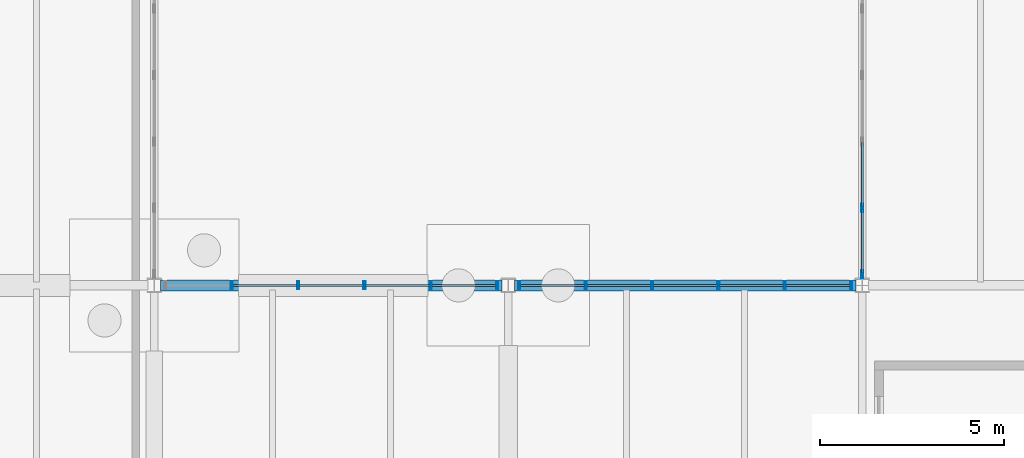
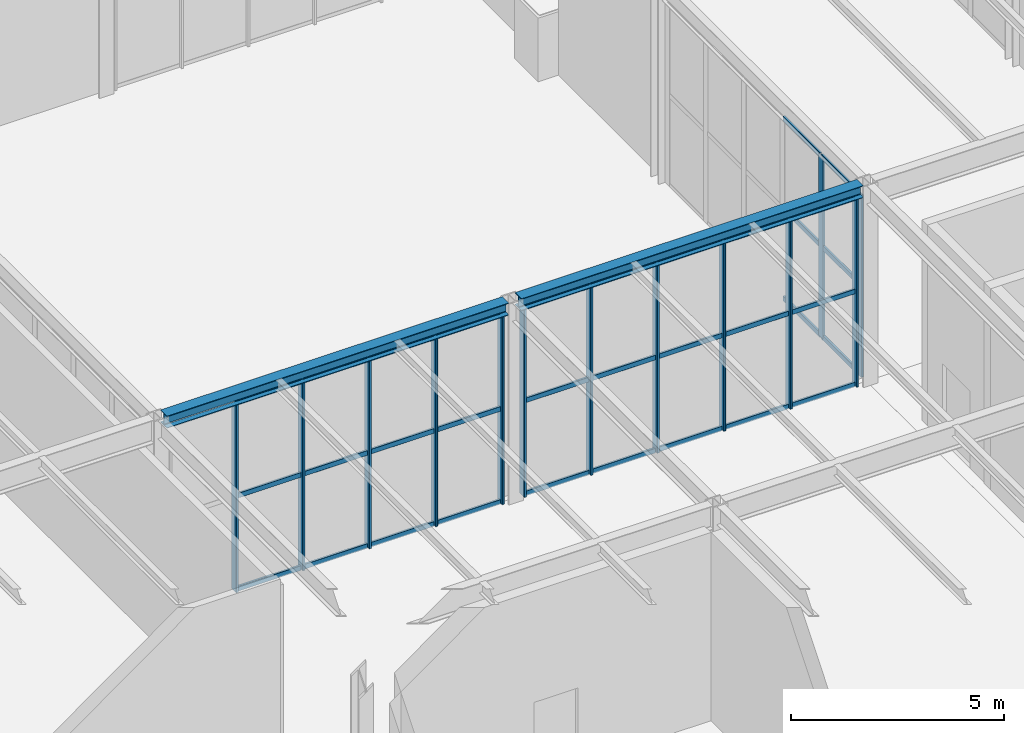
# One storey, part 43 of 142: 46 members, 2 beams, 3 elements without a shape of their own.
"""IFC4 building model written with IfcOpenShell, lengths in metres."""

from ifc_helpers import new_model, si_unit, direction, frame, origin, origin_2d, place, context, subcontext, project, spatial, hollow_rectangle, i_section, extrude, material, material_profile, profile_set, type_object, element, aggregate, save


model = new_model("IFC4")

# Units and contexts
model_context = context("Model", 3, precision=1e-05, world=origin(), true_north=direction((0.0, 1.0)))
body_context = subcontext(model_context, "Body", "Model", "MODEL_VIEW")
ifc_project = project(units=[si_unit("LENGTHUNIT", "METRE"), si_unit("AREAUNIT", "SQUARE_METRE"), si_unit("VOLUMEUNIT", "CUBIC_METRE"), si_unit("PLANEANGLEUNIT", "RADIAN"), si_unit("MASSUNIT", "GRAM", prefix="KILO")], contexts=[model_context])

# Site, building, storey
site_placement = place(None, origin())
site = spatial("IfcSite", under=ifc_project, at=site_placement, CompositionType="ELEMENT")
building_placement = place(site_placement, origin())
building = spatial("IfcBuilding", under=site, at=building_placement, Name="Coralgate Yard Interchange", CompositionType="ELEMENT")
storey_placement = place(building_placement, origin())
storey = spatial("IfcBuildingStorey", under=building, at=storey_placement, Name="L00", CompositionType="ELEMENT", Elevation=0.0)

# Beams
ifc_material_1 = material(Name="Structural steel S355J2", Category="steel")
ifc_material_profile_1 = material_profile(ifc_material_1, i_section(OverallWidth=0.300048828125, OverallDepth=0.35009765625, WebThickness=0.010009765625, FlangeThickness=0.017578125, FilletRadius=0.027099609375, at=origin_2d()), Name="HEA 360")
ifc_profile_set_1 = profile_set([ifc_material_profile_1], Name="Structural steel S355J2")
beam_type = type_object("IfcBeamType", Name="BM-SP-1", PredefinedType="SPANDREL", material=ifc_profile_set_1)
for number, where, z_axis, x_axis, name in (
    (1, (28.969482421875, 19.199951171875, 5.574951171875), (1.0, 0.0, 0.0), (0.0, 1.0, 0.0), "L00 primary grid beam Y2 X3-4"),
    (2, (38.569580078125, 19.199951171875, 5.574951171875), (1.0, 0.0, 0.0), (0.0, 1.0, 0.0), "L00 primary grid beam Y2 X4-5"),
):
    element("IfcBeam", number, at=place(storey_placement, frame(where, z_axis=z_axis, x_axis=x_axis)), inside=storey, type_object=beam_type, Name=name, PredefinedType="SPANDREL", context=body_context, shape_type="SweptSolid", body=[
        extrude(i_section(OverallWidth=0.300048828125, OverallDepth=0.35009765625, WebThickness=0.010009765625, FlangeThickness=0.017578125, FilletRadius=0.027099609375, at=origin_2d()), origin(), (0.0, 0.0, 1.0), 9.260986328125),
    ])

# Curtain wall, members
ifc_material_2 = material(Name="Anodised coastal aluminium and solar-control low-E glass", Category="aluminium")
curtain_wall_type = type_object("IfcCurtainWallType", Name="CW-CW-L00-B", PredefinedType="NOTDEFINED", material=ifc_material_2)
curtain_wall_1_placement = place(storey_placement, origin())
curtain_wall_1 = element("IfcCurtainWall", 3, at=curtain_wall_1_placement, inside=storey, type_object=curtain_wall_type, Name="L00 unitised curtain wall CW-L00-N-03-01", PredefinedType="NOTDEFINED")
ifc_material_3 = material(Name="Anodised coastal aluminium 6063-T6", Category="aluminium")
ifc_material_profile_2 = material_profile(ifc_material_3, hollow_rectangle(XDim=0.06005859375, YDim=0.219970703125, WallThickness=0.00390625, InnerFilletRadius=0.00390625, OuterFilletRadius=0.008056640625, at=origin_2d()), Name="ALU 60x220x4")
ifc_profile_set_2 = profile_set([ifc_material_profile_2], Name="Anodised coastal aluminium 6063-T6")
member_type_1 = type_object("IfcMemberType", Name="MB-MUL-220", PredefinedType="MULLION", material=ifc_profile_set_2)
member_1_placement = place(storey_placement, frame((30.89990234375, 19.199951171875, 0.0), z_axis=(0.0, 0.0, 1.0), x_axis=(1.0, 0.0, 0.0)))
member_1 = element("IfcMember", 4, at=member_1_placement, type_object=member_type_1, Name="CW-L00-N-03-01 vertical mullion 2", PredefinedType="MULLION", context=body_context, shape_type="SweptSolid", body=[
    extrude(hollow_rectangle(XDim=0.06005859375, YDim=0.219970703125, WallThickness=0.00390625, InnerFilletRadius=0.00390625, OuterFilletRadius=0.008056640625, at=origin_2d()), origin(), (0.0, 0.0, 1.0), 5.39990234375),
])
member_2_placement = place(storey_placement, frame((32.699951171875, 19.199951171875, 0.0), z_axis=(0.0, 0.0, 1.0), x_axis=(1.0, 0.0, 0.0)))
member_2 = element("IfcMember", 5, at=member_2_placement, type_object=member_type_1, Name="CW-L00-N-03-01 vertical mullion 3", PredefinedType="MULLION", context=body_context, shape_type="SweptSolid", body=[
    extrude(hollow_rectangle(XDim=0.06005859375, YDim=0.219970703125, WallThickness=0.00390625, InnerFilletRadius=0.00390625, OuterFilletRadius=0.008056640625, at=origin_2d()), origin(), (0.0, 0.0, 1.0), 5.39990234375),
])
member_3_placement = place(storey_placement, frame((34.5, 19.199951171875, 0.0), z_axis=(0.0, 0.0, 1.0), x_axis=(1.0, 0.0, 0.0)))
member_3 = element("IfcMember", 6, at=member_3_placement, type_object=member_type_1, Name="CW-L00-N-03-01 vertical mullion 4", PredefinedType="MULLION", context=body_context, shape_type="SweptSolid", body=[
    extrude(hollow_rectangle(XDim=0.06005859375, YDim=0.219970703125, WallThickness=0.00390625, InnerFilletRadius=0.00390625, OuterFilletRadius=0.008056640625, at=origin_2d()), origin(), (0.0, 0.0, 1.0), 5.39990234375),
])
member_4_placement = place(storey_placement, frame((36.300048828125, 19.199951171875, 0.0), z_axis=(0.0, 0.0, 1.0), x_axis=(1.0, 0.0, 0.0)))
member_4 = element("IfcMember", 7, at=member_4_placement, type_object=member_type_1, Name="CW-L00-N-03-01 vertical mullion 5", PredefinedType="MULLION", context=body_context, shape_type="SweptSolid", body=[
    extrude(hollow_rectangle(XDim=0.06005859375, YDim=0.219970703125, WallThickness=0.00390625, InnerFilletRadius=0.00390625, OuterFilletRadius=0.008056640625, at=origin_2d()), origin(), (0.0, 0.0, 1.0), 5.39990234375),
])
member_5_placement = place(storey_placement, frame((38.10009765625, 19.199951171875, 0.0), z_axis=(0.0, 0.0, 1.0), x_axis=(1.0, 0.0, 0.0)))
member_5 = element("IfcMember", 8, at=member_5_placement, type_object=member_type_1, Name="CW-L00-N-03-01 vertical mullion 6", PredefinedType="MULLION", context=body_context, shape_type="SweptSolid", body=[
    extrude(hollow_rectangle(XDim=0.06005859375, YDim=0.219970703125, WallThickness=0.00390625, InnerFilletRadius=0.00390625, OuterFilletRadius=0.008056640625, at=origin_2d()), origin(), (0.0, 0.0, 1.0), 5.39990234375),
])

curtain_wall_2_placement = place(storey_placement, origin())
curtain_wall_2 = element("IfcCurtainWall", 9, at=curtain_wall_2_placement, inside=storey, type_object=curtain_wall_type, Name="L00 unitised curtain wall CW-L00-N-04-01", PredefinedType="NOTDEFINED")
member_6_placement = place(storey_placement, frame((38.699951171875, 19.199951171875, 0.0), z_axis=(0.0, 0.0, 1.0), x_axis=(1.0, 0.0, 0.0)))
member_6 = element("IfcMember", 10, at=member_6_placement, type_object=member_type_1, Name="CW-L00-N-04-01 vertical mullion 1", PredefinedType="MULLION", context=body_context, shape_type="SweptSolid", body=[
    extrude(hollow_rectangle(XDim=0.06005859375, YDim=0.219970703125, WallThickness=0.00390625, InnerFilletRadius=0.00390625, OuterFilletRadius=0.008056640625, at=origin_2d()), origin(), (0.0, 0.0, 1.0), 5.39990234375),
])
member_7_placement = place(storey_placement, frame((40.5, 19.199951171875, 0.0), z_axis=(0.0, 0.0, 1.0), x_axis=(1.0, 0.0, 0.0)))
member_7 = element("IfcMember", 11, at=member_7_placement, type_object=member_type_1, Name="CW-L00-N-04-01 vertical mullion 2", PredefinedType="MULLION", context=body_context, shape_type="SweptSolid", body=[
    extrude(hollow_rectangle(XDim=0.06005859375, YDim=0.219970703125, WallThickness=0.00390625, InnerFilletRadius=0.00390625, OuterFilletRadius=0.008056640625, at=origin_2d()), origin(), (0.0, 0.0, 1.0), 5.39990234375),
])
member_8_placement = place(storey_placement, frame((42.300048828125, 19.199951171875, 0.0), z_axis=(0.0, 0.0, 1.0), x_axis=(1.0, 0.0, 0.0)))
member_8 = element("IfcMember", 12, at=member_8_placement, type_object=member_type_1, Name="CW-L00-N-04-01 vertical mullion 3", PredefinedType="MULLION", context=body_context, shape_type="SweptSolid", body=[
    extrude(hollow_rectangle(XDim=0.06005859375, YDim=0.219970703125, WallThickness=0.00390625, InnerFilletRadius=0.00390625, OuterFilletRadius=0.008056640625, at=origin_2d()), origin(), (0.0, 0.0, 1.0), 5.39990234375),
])
member_9_placement = place(storey_placement, frame((44.10009765625, 19.199951171875, 0.0), z_axis=(0.0, 0.0, 1.0), x_axis=(1.0, 0.0, 0.0)))
member_9 = element("IfcMember", 13, at=member_9_placement, type_object=member_type_1, Name="CW-L00-N-04-01 vertical mullion 4", PredefinedType="MULLION", context=body_context, shape_type="SweptSolid", body=[
    extrude(hollow_rectangle(XDim=0.06005859375, YDim=0.219970703125, WallThickness=0.00390625, InnerFilletRadius=0.00390625, OuterFilletRadius=0.008056640625, at=origin_2d()), origin(), (0.0, 0.0, 1.0), 5.39990234375),
])
member_10_placement = place(storey_placement, frame((45.89990234375, 19.199951171875, 0.0), z_axis=(0.0, 0.0, 1.0), x_axis=(1.0, 0.0, 0.0)))
member_10 = element("IfcMember", 14, at=member_10_placement, type_object=member_type_1, Name="CW-L00-N-04-01 vertical mullion 5", PredefinedType="MULLION", context=body_context, shape_type="SweptSolid", body=[
    extrude(hollow_rectangle(XDim=0.06005859375, YDim=0.219970703125, WallThickness=0.00390625, InnerFilletRadius=0.00390625, OuterFilletRadius=0.008056640625, at=origin_2d()), origin(), (0.0, 0.0, 1.0), 5.39990234375),
])
member_11_placement = place(storey_placement, frame((47.699951171875, 19.199951171875, 0.0), z_axis=(0.0, 0.0, 1.0), x_axis=(1.0, 0.0, 0.0)))
member_11 = element("IfcMember", 15, at=member_11_placement, type_object=member_type_1, Name="CW-L00-N-04-01 vertical mullion 6", PredefinedType="MULLION", context=body_context, shape_type="SweptSolid", body=[
    extrude(hollow_rectangle(XDim=0.06005859375, YDim=0.219970703125, WallThickness=0.00390625, InnerFilletRadius=0.00390625, OuterFilletRadius=0.008056640625, at=origin_2d()), origin(), (0.0, 0.0, 1.0), 5.39990234375),
])

curtain_wall_3_placement = place(storey_placement, origin())
curtain_wall_3 = element("IfcCurtainWall", 16, at=curtain_wall_3_placement, inside=storey, type_object=curtain_wall_type, Name="L00 unitised curtain wall CW-L00-W-05-02", PredefinedType="NOTDEFINED")
member_12_placement = place(storey_placement, frame((48.0, 19.5, 0.0), z_axis=(0.0, 0.0, 1.0), x_axis=(1.0, 0.0, 0.0)))
member_12 = element("IfcMember", 17, at=member_12_placement, type_object=member_type_1, Name="CW-L00-W-05-02 vertical mullion 1", PredefinedType="MULLION", context=body_context, shape_type="SweptSolid", body=[
    extrude(hollow_rectangle(XDim=0.06005859375, YDim=0.219970703125, WallThickness=0.00390625, InnerFilletRadius=0.00390625, OuterFilletRadius=0.008056640625, at=origin_2d()), origin(), (0.0, 0.0, 1.0), 5.216796875),
])
member_13_placement = place(storey_placement, frame((48.0, 21.300048828125, 0.0), z_axis=(0.0, 0.0, 1.0), x_axis=(1.0, 0.0, 0.0)))
member_13 = element("IfcMember", 18, at=member_13_placement, type_object=member_type_1, Name="CW-L00-W-05-02 vertical mullion 2", PredefinedType="MULLION", context=body_context, shape_type="SweptSolid", body=[
    extrude(hollow_rectangle(XDim=0.06005859375, YDim=0.219970703125, WallThickness=0.00390625, InnerFilletRadius=0.00390625, OuterFilletRadius=0.008056640625, at=origin_2d()), origin(), (0.0, 0.0, 1.0), 5.216796875),
])

# Member
ifc_material_profile_3 = material_profile(ifc_material_3, hollow_rectangle(XDim=0.06005859375, YDim=0.139892578125, WallThickness=0.00341796875, InnerFilletRadius=0.00341796875, OuterFilletRadius=0.007080078125, at=origin_2d()), Name="ALU 60x140x3.5")
ifc_profile_set_3 = profile_set([ifc_material_profile_3], Name="Anodised coastal aluminium 6063-T6")
member_type_2 = type_object("IfcMemberType", Name="MB-TRN-140", PredefinedType="USERDEFINED", material=ifc_profile_set_3)
member_14_placement = place(storey_placement, frame((30.929931640625, 19.199951171875, 0.034912109375), z_axis=(1.0, 0.0, 0.0), x_axis=(0.0, 1.0, 0.0)))
member_14 = element("IfcMember", 19, at=member_14_placement, type_object=member_type_2, Name="CW-L00-N-03-01 horizontal transom 2-1", ObjectType="TRANSOM", PredefinedType="USERDEFINED", context=body_context, shape_type="SweptSolid", body=[
    extrude(hollow_rectangle(XDim=0.06005859375, YDim=0.139892578125, WallThickness=0.00341796875, InnerFilletRadius=0.00341796875, OuterFilletRadius=0.007080078125, at=origin_2d()), origin(), (0.0, 0.0, 1.0), 1.739990234375),
])

member_15_placement = place(storey_placement, frame((30.929931640625, 19.199951171875, 2.699951171875), z_axis=(1.0, 0.0, 0.0), x_axis=(0.0, 1.0, 0.0)))
member_15 = element("IfcMember", 20, at=member_15_placement, type_object=member_type_2, Name="CW-L00-N-03-01 horizontal transom 2-2", ObjectType="TRANSOM", PredefinedType="USERDEFINED", context=body_context, shape_type="SweptSolid", body=[
    extrude(hollow_rectangle(XDim=0.06005859375, YDim=0.139892578125, WallThickness=0.00341796875, InnerFilletRadius=0.00341796875, OuterFilletRadius=0.007080078125, at=origin_2d()), origin(), (0.0, 0.0, 1.0), 1.739990234375),
])

member_16_placement = place(storey_placement, frame((30.929931640625, 19.199951171875, 5.364990234375), z_axis=(1.0, 0.0, 0.0), x_axis=(0.0, 1.0, 0.0)))
member_16 = element("IfcMember", 21, at=member_16_placement, type_object=member_type_2, Name="CW-L00-N-03-01 horizontal transom 2-3", ObjectType="TRANSOM", PredefinedType="USERDEFINED", context=body_context, shape_type="SweptSolid", body=[
    extrude(hollow_rectangle(XDim=0.06005859375, YDim=0.139892578125, WallThickness=0.00341796875, InnerFilletRadius=0.00341796875, OuterFilletRadius=0.007080078125, at=origin_2d()), origin(), (0.0, 0.0, 1.0), 1.739990234375),
])

member_17_placement = place(storey_placement, frame((32.72998046875, 19.199951171875, 0.034912109375), z_axis=(1.0, 0.0, 0.0), x_axis=(0.0, 1.0, 0.0)))
member_17 = element("IfcMember", 22, at=member_17_placement, type_object=member_type_2, Name="CW-L00-N-03-01 horizontal transom 3-1", ObjectType="TRANSOM", PredefinedType="USERDEFINED", context=body_context, shape_type="SweptSolid", body=[
    extrude(hollow_rectangle(XDim=0.06005859375, YDim=0.139892578125, WallThickness=0.00341796875, InnerFilletRadius=0.00341796875, OuterFilletRadius=0.007080078125, at=origin_2d()), origin(), (0.0, 0.0, 1.0), 1.739990234375),
])

member_18_placement = place(storey_placement, frame((32.72998046875, 19.199951171875, 2.699951171875), z_axis=(1.0, 0.0, 0.0), x_axis=(0.0, 1.0, 0.0)))
member_18 = element("IfcMember", 23, at=member_18_placement, type_object=member_type_2, Name="CW-L00-N-03-01 horizontal transom 3-2", ObjectType="TRANSOM", PredefinedType="USERDEFINED", context=body_context, shape_type="SweptSolid", body=[
    extrude(hollow_rectangle(XDim=0.06005859375, YDim=0.139892578125, WallThickness=0.00341796875, InnerFilletRadius=0.00341796875, OuterFilletRadius=0.007080078125, at=origin_2d()), origin(), (0.0, 0.0, 1.0), 1.739990234375),
])

member_19_placement = place(storey_placement, frame((32.72998046875, 19.199951171875, 5.364990234375), z_axis=(1.0, 0.0, 0.0), x_axis=(0.0, 1.0, 0.0)))
member_19 = element("IfcMember", 24, at=member_19_placement, type_object=member_type_2, Name="CW-L00-N-03-01 horizontal transom 3-3", ObjectType="TRANSOM", PredefinedType="USERDEFINED", context=body_context, shape_type="SweptSolid", body=[
    extrude(hollow_rectangle(XDim=0.06005859375, YDim=0.139892578125, WallThickness=0.00341796875, InnerFilletRadius=0.00341796875, OuterFilletRadius=0.007080078125, at=origin_2d()), origin(), (0.0, 0.0, 1.0), 1.739990234375),
])

member_20_placement = place(storey_placement, frame((34.530029296875, 19.199951171875, 0.034912109375), z_axis=(1.0, 0.0, 0.0), x_axis=(0.0, 1.0, 0.0)))
member_20 = element("IfcMember", 25, at=member_20_placement, type_object=member_type_2, Name="CW-L00-N-03-01 horizontal transom 4-1", ObjectType="TRANSOM", PredefinedType="USERDEFINED", context=body_context, shape_type="SweptSolid", body=[
    extrude(hollow_rectangle(XDim=0.06005859375, YDim=0.139892578125, WallThickness=0.00341796875, InnerFilletRadius=0.00341796875, OuterFilletRadius=0.007080078125, at=origin_2d()), origin(), (0.0, 0.0, 1.0), 1.739990234375),
])

member_21_placement = place(storey_placement, frame((34.530029296875, 19.199951171875, 2.699951171875), z_axis=(1.0, 0.0, 0.0), x_axis=(0.0, 1.0, 0.0)))
member_21 = element("IfcMember", 26, at=member_21_placement, type_object=member_type_2, Name="CW-L00-N-03-01 horizontal transom 4-2", ObjectType="TRANSOM", PredefinedType="USERDEFINED", context=body_context, shape_type="SweptSolid", body=[
    extrude(hollow_rectangle(XDim=0.06005859375, YDim=0.139892578125, WallThickness=0.00341796875, InnerFilletRadius=0.00341796875, OuterFilletRadius=0.007080078125, at=origin_2d()), origin(), (0.0, 0.0, 1.0), 1.739990234375),
])

member_22_placement = place(storey_placement, frame((34.530029296875, 19.199951171875, 5.364990234375), z_axis=(1.0, 0.0, 0.0), x_axis=(0.0, 1.0, 0.0)))
member_22 = element("IfcMember", 27, at=member_22_placement, type_object=member_type_2, Name="CW-L00-N-03-01 horizontal transom 4-3", ObjectType="TRANSOM", PredefinedType="USERDEFINED", context=body_context, shape_type="SweptSolid", body=[
    extrude(hollow_rectangle(XDim=0.06005859375, YDim=0.139892578125, WallThickness=0.00341796875, InnerFilletRadius=0.00341796875, OuterFilletRadius=0.007080078125, at=origin_2d()), origin(), (0.0, 0.0, 1.0), 1.739990234375),
])

member_23_placement = place(storey_placement, frame((36.330078125, 19.199951171875, 0.034912109375), z_axis=(1.0, 0.0, 0.0), x_axis=(0.0, 1.0, 0.0)))
member_23 = element("IfcMember", 28, at=member_23_placement, type_object=member_type_2, Name="CW-L00-N-03-01 horizontal transom 5-1", ObjectType="TRANSOM", PredefinedType="USERDEFINED", context=body_context, shape_type="SweptSolid", body=[
    extrude(hollow_rectangle(XDim=0.06005859375, YDim=0.139892578125, WallThickness=0.00341796875, InnerFilletRadius=0.00341796875, OuterFilletRadius=0.007080078125, at=origin_2d()), origin(), (0.0, 0.0, 1.0), 1.739990234375),
])

member_24_placement = place(storey_placement, frame((36.330078125, 19.199951171875, 2.699951171875), z_axis=(1.0, 0.0, 0.0), x_axis=(0.0, 1.0, 0.0)))
member_24 = element("IfcMember", 29, at=member_24_placement, type_object=member_type_2, Name="CW-L00-N-03-01 horizontal transom 5-2", ObjectType="TRANSOM", PredefinedType="USERDEFINED", context=body_context, shape_type="SweptSolid", body=[
    extrude(hollow_rectangle(XDim=0.06005859375, YDim=0.139892578125, WallThickness=0.00341796875, InnerFilletRadius=0.00341796875, OuterFilletRadius=0.007080078125, at=origin_2d()), origin(), (0.0, 0.0, 1.0), 1.739990234375),
])

member_25_placement = place(storey_placement, frame((36.330078125, 19.199951171875, 5.364990234375), z_axis=(1.0, 0.0, 0.0), x_axis=(0.0, 1.0, 0.0)))
member_25 = element("IfcMember", 30, at=member_25_placement, type_object=member_type_2, Name="CW-L00-N-03-01 horizontal transom 5-3", ObjectType="TRANSOM", PredefinedType="USERDEFINED", context=body_context, shape_type="SweptSolid", body=[
    extrude(hollow_rectangle(XDim=0.06005859375, YDim=0.139892578125, WallThickness=0.00341796875, InnerFilletRadius=0.00341796875, OuterFilletRadius=0.007080078125, at=origin_2d()), origin(), (0.0, 0.0, 1.0), 1.739990234375),
])

aggregate(curtain_wall_1, [member_1, member_2, member_3, member_4, member_5, member_14, member_15, member_16, member_17, member_18, member_19, member_20, member_21, member_22, member_23, member_24, member_25])

member_26_placement = place(storey_placement, frame((38.72998046875, 19.199951171875, 0.034912109375), z_axis=(1.0, 0.0, 0.0), x_axis=(0.0, 1.0, 0.0)))
member_26 = element("IfcMember", 31, at=member_26_placement, type_object=member_type_2, Name="CW-L00-N-04-01 horizontal transom 1-1", ObjectType="TRANSOM", PredefinedType="USERDEFINED", context=body_context, shape_type="SweptSolid", body=[
    extrude(hollow_rectangle(XDim=0.06005859375, YDim=0.139892578125, WallThickness=0.00341796875, InnerFilletRadius=0.00341796875, OuterFilletRadius=0.007080078125, at=origin_2d()), origin(), (0.0, 0.0, 1.0), 1.739990234375),
])

member_27_placement = place(storey_placement, frame((38.72998046875, 19.199951171875, 2.699951171875), z_axis=(1.0, 0.0, 0.0), x_axis=(0.0, 1.0, 0.0)))
member_27 = element("IfcMember", 32, at=member_27_placement, type_object=member_type_2, Name="CW-L00-N-04-01 horizontal transom 1-2", ObjectType="TRANSOM", PredefinedType="USERDEFINED", context=body_context, shape_type="SweptSolid", body=[
    extrude(hollow_rectangle(XDim=0.06005859375, YDim=0.139892578125, WallThickness=0.00341796875, InnerFilletRadius=0.00341796875, OuterFilletRadius=0.007080078125, at=origin_2d()), origin(), (0.0, 0.0, 1.0), 1.739990234375),
])

member_28_placement = place(storey_placement, frame((38.72998046875, 19.199951171875, 5.364990234375), z_axis=(1.0, 0.0, 0.0), x_axis=(0.0, 1.0, 0.0)))
member_28 = element("IfcMember", 33, at=member_28_placement, type_object=member_type_2, Name="CW-L00-N-04-01 horizontal transom 1-3", ObjectType="TRANSOM", PredefinedType="USERDEFINED", context=body_context, shape_type="SweptSolid", body=[
    extrude(hollow_rectangle(XDim=0.06005859375, YDim=0.139892578125, WallThickness=0.00341796875, InnerFilletRadius=0.00341796875, OuterFilletRadius=0.007080078125, at=origin_2d()), origin(), (0.0, 0.0, 1.0), 1.739990234375),
])

member_29_placement = place(storey_placement, frame((40.530029296875, 19.199951171875, 0.034912109375), z_axis=(1.0, 0.0, 0.0), x_axis=(0.0, 1.0, 0.0)))
member_29 = element("IfcMember", 34, at=member_29_placement, type_object=member_type_2, Name="CW-L00-N-04-01 horizontal transom 2-1", ObjectType="TRANSOM", PredefinedType="USERDEFINED", context=body_context, shape_type="SweptSolid", body=[
    extrude(hollow_rectangle(XDim=0.06005859375, YDim=0.139892578125, WallThickness=0.00341796875, InnerFilletRadius=0.00341796875, OuterFilletRadius=0.007080078125, at=origin_2d()), origin(), (0.0, 0.0, 1.0), 1.739990234375),
])

member_30_placement = place(storey_placement, frame((40.530029296875, 19.199951171875, 2.699951171875), z_axis=(1.0, 0.0, 0.0), x_axis=(0.0, 1.0, 0.0)))
member_30 = element("IfcMember", 35, at=member_30_placement, type_object=member_type_2, Name="CW-L00-N-04-01 horizontal transom 2-2", ObjectType="TRANSOM", PredefinedType="USERDEFINED", context=body_context, shape_type="SweptSolid", body=[
    extrude(hollow_rectangle(XDim=0.06005859375, YDim=0.139892578125, WallThickness=0.00341796875, InnerFilletRadius=0.00341796875, OuterFilletRadius=0.007080078125, at=origin_2d()), origin(), (0.0, 0.0, 1.0), 1.739990234375),
])

member_31_placement = place(storey_placement, frame((40.530029296875, 19.199951171875, 5.364990234375), z_axis=(1.0, 0.0, 0.0), x_axis=(0.0, 1.0, 0.0)))
member_31 = element("IfcMember", 36, at=member_31_placement, type_object=member_type_2, Name="CW-L00-N-04-01 horizontal transom 2-3", ObjectType="TRANSOM", PredefinedType="USERDEFINED", context=body_context, shape_type="SweptSolid", body=[
    extrude(hollow_rectangle(XDim=0.06005859375, YDim=0.139892578125, WallThickness=0.00341796875, InnerFilletRadius=0.00341796875, OuterFilletRadius=0.007080078125, at=origin_2d()), origin(), (0.0, 0.0, 1.0), 1.739990234375),
])

member_32_placement = place(storey_placement, frame((42.330078125, 19.199951171875, 0.034912109375), z_axis=(1.0, 0.0, 0.0), x_axis=(0.0, 1.0, 0.0)))
member_32 = element("IfcMember", 37, at=member_32_placement, type_object=member_type_2, Name="CW-L00-N-04-01 horizontal transom 3-1", ObjectType="TRANSOM", PredefinedType="USERDEFINED", context=body_context, shape_type="SweptSolid", body=[
    extrude(hollow_rectangle(XDim=0.06005859375, YDim=0.139892578125, WallThickness=0.00341796875, InnerFilletRadius=0.00341796875, OuterFilletRadius=0.007080078125, at=origin_2d()), origin(), (0.0, 0.0, 1.0), 1.739990234375),
])

member_33_placement = place(storey_placement, frame((42.330078125, 19.199951171875, 2.699951171875), z_axis=(1.0, 0.0, 0.0), x_axis=(0.0, 1.0, 0.0)))
member_33 = element("IfcMember", 38, at=member_33_placement, type_object=member_type_2, Name="CW-L00-N-04-01 horizontal transom 3-2", ObjectType="TRANSOM", PredefinedType="USERDEFINED", context=body_context, shape_type="SweptSolid", body=[
    extrude(hollow_rectangle(XDim=0.06005859375, YDim=0.139892578125, WallThickness=0.00341796875, InnerFilletRadius=0.00341796875, OuterFilletRadius=0.007080078125, at=origin_2d()), origin(), (0.0, 0.0, 1.0), 1.739990234375),
])

member_34_placement = place(storey_placement, frame((42.330078125, 19.199951171875, 5.364990234375), z_axis=(1.0, 0.0, 0.0), x_axis=(0.0, 1.0, 0.0)))
member_34 = element("IfcMember", 39, at=member_34_placement, type_object=member_type_2, Name="CW-L00-N-04-01 horizontal transom 3-3", ObjectType="TRANSOM", PredefinedType="USERDEFINED", context=body_context, shape_type="SweptSolid", body=[
    extrude(hollow_rectangle(XDim=0.06005859375, YDim=0.139892578125, WallThickness=0.00341796875, InnerFilletRadius=0.00341796875, OuterFilletRadius=0.007080078125, at=origin_2d()), origin(), (0.0, 0.0, 1.0), 1.739990234375),
])

member_35_placement = place(storey_placement, frame((44.1298828125, 19.199951171875, 0.034912109375), z_axis=(1.0, 0.0, 0.0), x_axis=(0.0, 1.0, 0.0)))
member_35 = element("IfcMember", 40, at=member_35_placement, type_object=member_type_2, Name="CW-L00-N-04-01 horizontal transom 4-1", ObjectType="TRANSOM", PredefinedType="USERDEFINED", context=body_context, shape_type="SweptSolid", body=[
    extrude(hollow_rectangle(XDim=0.06005859375, YDim=0.139892578125, WallThickness=0.00341796875, InnerFilletRadius=0.00341796875, OuterFilletRadius=0.007080078125, at=origin_2d()), origin(), (0.0, 0.0, 1.0), 1.740234375),
])

member_36_placement = place(storey_placement, frame((44.1298828125, 19.199951171875, 2.699951171875), z_axis=(1.0, 0.0, 0.0), x_axis=(0.0, 1.0, 0.0)))
member_36 = element("IfcMember", 41, at=member_36_placement, type_object=member_type_2, Name="CW-L00-N-04-01 horizontal transom 4-2", ObjectType="TRANSOM", PredefinedType="USERDEFINED", context=body_context, shape_type="SweptSolid", body=[
    extrude(hollow_rectangle(XDim=0.06005859375, YDim=0.139892578125, WallThickness=0.00341796875, InnerFilletRadius=0.00341796875, OuterFilletRadius=0.007080078125, at=origin_2d()), origin(), (0.0, 0.0, 1.0), 1.740234375),
])

member_37_placement = place(storey_placement, frame((44.1298828125, 19.199951171875, 5.364990234375), z_axis=(1.0, 0.0, 0.0), x_axis=(0.0, 1.0, 0.0)))
member_37 = element("IfcMember", 42, at=member_37_placement, type_object=member_type_2, Name="CW-L00-N-04-01 horizontal transom 4-3", ObjectType="TRANSOM", PredefinedType="USERDEFINED", context=body_context, shape_type="SweptSolid", body=[
    extrude(hollow_rectangle(XDim=0.06005859375, YDim=0.139892578125, WallThickness=0.00341796875, InnerFilletRadius=0.00341796875, OuterFilletRadius=0.007080078125, at=origin_2d()), origin(), (0.0, 0.0, 1.0), 1.740234375),
])

member_38_placement = place(storey_placement, frame((45.929931640625, 19.199951171875, 0.034912109375), z_axis=(1.0, 0.0, 0.0), x_axis=(0.0, 1.0, 0.0)))
member_38 = element("IfcMember", 43, at=member_38_placement, type_object=member_type_2, Name="CW-L00-N-04-01 horizontal transom 5-1", ObjectType="TRANSOM", PredefinedType="USERDEFINED", context=body_context, shape_type="SweptSolid", body=[
    extrude(hollow_rectangle(XDim=0.06005859375, YDim=0.139892578125, WallThickness=0.00341796875, InnerFilletRadius=0.00341796875, OuterFilletRadius=0.007080078125, at=origin_2d()), origin(), (0.0, 0.0, 1.0), 1.739990234375),
])

member_39_placement = place(storey_placement, frame((45.929931640625, 19.199951171875, 2.699951171875), z_axis=(1.0, 0.0, 0.0), x_axis=(0.0, 1.0, 0.0)))
member_39 = element("IfcMember", 44, at=member_39_placement, type_object=member_type_2, Name="CW-L00-N-04-01 horizontal transom 5-2", ObjectType="TRANSOM", PredefinedType="USERDEFINED", context=body_context, shape_type="SweptSolid", body=[
    extrude(hollow_rectangle(XDim=0.06005859375, YDim=0.139892578125, WallThickness=0.00341796875, InnerFilletRadius=0.00341796875, OuterFilletRadius=0.007080078125, at=origin_2d()), origin(), (0.0, 0.0, 1.0), 1.739990234375),
])

member_40_placement = place(storey_placement, frame((45.929931640625, 19.199951171875, 5.364990234375), z_axis=(1.0, 0.0, 0.0), x_axis=(0.0, 1.0, 0.0)))
member_40 = element("IfcMember", 45, at=member_40_placement, type_object=member_type_2, Name="CW-L00-N-04-01 horizontal transom 5-3", ObjectType="TRANSOM", PredefinedType="USERDEFINED", context=body_context, shape_type="SweptSolid", body=[
    extrude(hollow_rectangle(XDim=0.06005859375, YDim=0.139892578125, WallThickness=0.00341796875, InnerFilletRadius=0.00341796875, OuterFilletRadius=0.007080078125, at=origin_2d()), origin(), (0.0, 0.0, 1.0), 1.739990234375),
])

aggregate(curtain_wall_2, [member_6, member_7, member_8, member_9, member_10, member_11, member_26, member_27, member_28, member_29, member_30, member_31, member_32, member_33, member_34, member_35, member_36, member_37, member_38, member_39, member_40])

member_41_placement = place(storey_placement, frame((48.0, 19.530029296875, 0.034912109375), z_axis=(0.0, 1.0, 0.0), x_axis=(-1.0, 0.0, 0.0)))
member_41 = element("IfcMember", 46, at=member_41_placement, type_object=member_type_2, Name="CW-L00-W-05-02 horizontal transom 1-1", ObjectType="TRANSOM", PredefinedType="USERDEFINED", context=body_context, shape_type="SweptSolid", body=[
    extrude(hollow_rectangle(XDim=0.06005859375, YDim=0.139892578125, WallThickness=0.00341796875, InnerFilletRadius=0.00341796875, OuterFilletRadius=0.007080078125, at=origin_2d()), origin(), (0.0, 0.0, 1.0), 1.739990234375),
])

member_42_placement = place(storey_placement, frame((48.0, 19.530029296875, 2.6083984375), z_axis=(0.0, 1.0, 0.0), x_axis=(-1.0, 0.0, 0.0)))
member_42 = element("IfcMember", 47, at=member_42_placement, type_object=member_type_2, Name="CW-L00-W-05-02 horizontal transom 1-2", ObjectType="TRANSOM", PredefinedType="USERDEFINED", context=body_context, shape_type="SweptSolid", body=[
    extrude(hollow_rectangle(XDim=0.06005859375, YDim=0.139892578125, WallThickness=0.00341796875, InnerFilletRadius=0.00341796875, OuterFilletRadius=0.007080078125, at=origin_2d()), origin(), (0.0, 0.0, 1.0), 1.739990234375),
])

member_43_placement = place(storey_placement, frame((48.0, 19.530029296875, 5.181884765625), z_axis=(0.0, 1.0, 0.0), x_axis=(-1.0, 0.0, 0.0)))
member_43 = element("IfcMember", 48, at=member_43_placement, type_object=member_type_2, Name="CW-L00-W-05-02 horizontal transom 1-3", ObjectType="TRANSOM", PredefinedType="USERDEFINED", context=body_context, shape_type="SweptSolid", body=[
    extrude(hollow_rectangle(XDim=0.06005859375, YDim=0.139892578125, WallThickness=0.00341796875, InnerFilletRadius=0.00341796875, OuterFilletRadius=0.007080078125, at=origin_2d()), origin(), (0.0, 0.0, 1.0), 1.739990234375),
])

member_44_placement = place(storey_placement, frame((48.0, 21.330078125, 0.034912109375), z_axis=(0.0, 1.0, 0.0), x_axis=(-1.0, 0.0, 0.0)))
member_44 = element("IfcMember", 49, at=member_44_placement, type_object=member_type_2, Name="CW-L00-W-05-02 horizontal transom 2-1", ObjectType="TRANSOM", PredefinedType="USERDEFINED", context=body_context, shape_type="SweptSolid", body=[
    extrude(hollow_rectangle(XDim=0.06005859375, YDim=0.139892578125, WallThickness=0.00341796875, InnerFilletRadius=0.00341796875, OuterFilletRadius=0.007080078125, at=origin_2d()), origin(), (0.0, 0.0, 1.0), 1.739990234375),
])

member_45_placement = place(storey_placement, frame((48.0, 21.330078125, 2.6083984375), z_axis=(0.0, 1.0, 0.0), x_axis=(-1.0, 0.0, 0.0)))
member_45 = element("IfcMember", 50, at=member_45_placement, type_object=member_type_2, Name="CW-L00-W-05-02 horizontal transom 2-2", ObjectType="TRANSOM", PredefinedType="USERDEFINED", context=body_context, shape_type="SweptSolid", body=[
    extrude(hollow_rectangle(XDim=0.06005859375, YDim=0.139892578125, WallThickness=0.00341796875, InnerFilletRadius=0.00341796875, OuterFilletRadius=0.007080078125, at=origin_2d()), origin(), (0.0, 0.0, 1.0), 1.739990234375),
])

member_46_placement = place(storey_placement, frame((48.0, 21.330078125, 5.181884765625), z_axis=(0.0, 1.0, 0.0), x_axis=(-1.0, 0.0, 0.0)))
member_46 = element("IfcMember", 51, at=member_46_placement, type_object=member_type_2, Name="CW-L00-W-05-02 horizontal transom 2-3", ObjectType="TRANSOM", PredefinedType="USERDEFINED", context=body_context, shape_type="SweptSolid", body=[
    extrude(hollow_rectangle(XDim=0.06005859375, YDim=0.139892578125, WallThickness=0.00341796875, InnerFilletRadius=0.00341796875, OuterFilletRadius=0.007080078125, at=origin_2d()), origin(), (0.0, 0.0, 1.0), 1.739990234375),
])

aggregate(curtain_wall_3, [member_12, member_13, member_41, member_42, member_43, member_44, member_45, member_46])

save(model, "model.ifc")
